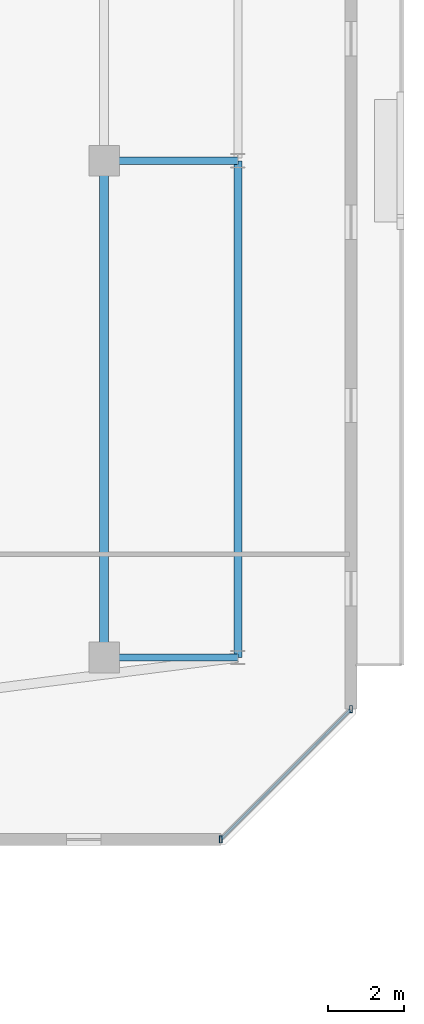
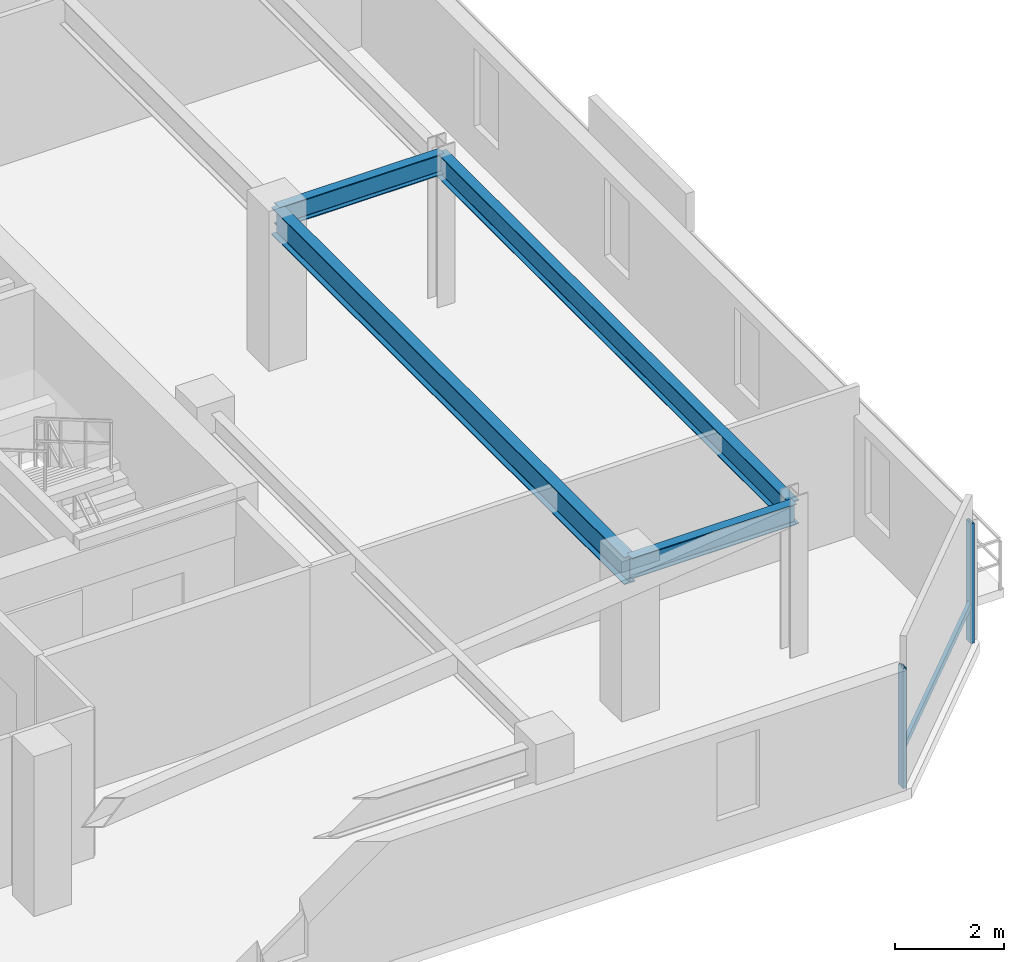
# One storey, part 16 of 35: 4 beams, 3 members, 1 element without a shape of its own.
"""IFC4 building model written with IfcOpenShell, lengths in metres."""

import ifcopenshell
import ifcopenshell.guid

model = None  # the IFC model being written
_history = None  # IfcOwnerHistory: only IFC2X3 demands one
_inside = {}  # id of a spatial element -> (the spatial element, [elements in it])
_under = {}  # id of a project, library or spatial element -> (it, [spatial elements below it])
_declared = {}  # id of a project -> (the project, [libraries it declares])
_typed = {}  # id of a type object -> (the type object, [elements of that type])
_made_of = {}  # id of a material, layer set ... -> (it, [elements and type objects made of it])


def new_model(schema):
    """Start an empty IFC model of exactly this schema.

    Asked for "IFC4X3", IfcOpenShell would pick the latest addendum, in which some entities
    have other attributes; the version numbers below select the first issue.
    IFC2X3 requires an IfcOwnerHistory on every rooted entity: one is made here for all.
    """
    global model, _history
    if schema == "IFC4X3":
        model = ifcopenshell.file(schema_version=(4, 3, 0, 0))
    else:
        model = ifcopenshell.file(schema=schema)
    _inside.clear()
    _under.clear()
    _declared.clear()
    _typed.clear()
    _made_of.clear()
    _history = None
    if model.schema == "IFC2X3":
        org = make("IfcOrganization", Name="unknown")
        user = make(
            "IfcPersonAndOrganization",
            ThePerson=make("IfcPerson", FamilyName="unknown"),
            TheOrganization=org,
        )
        app = make(
            "IfcApplication",
            ApplicationDeveloper=org,
            Version="unknown",
            ApplicationFullName="unknown",
            ApplicationIdentifier="unknown",
        )
        _history = make(
            "IfcOwnerHistory",
            OwningUser=user,
            OwningApplication=app,
            ChangeAction="ADDED",
            CreationDate=0,
        )
    return model


def make(cls, **values):
    """One entity of the class cls with the attributes given. An attribute that is None is left unset."""
    return model.create_entity(
        cls, **{name: value for name, value in values.items() if value is not None}
    )


def rooted(cls, **values):
    """An entity with a GlobalId (a new one), such as an element, a storey or a relation."""
    return make(cls, GlobalId=ifcopenshell.guid.new(), OwnerHistory=_history, **values)


def si_unit(unit_type, name, prefix=None):
    """IfcSIUnit, for example si_unit("LENGTHUNIT", "METRE", prefix="MILLI")."""
    return make("IfcSIUnit", UnitType=unit_type, Prefix=prefix, Name=name)


def assignment(units):
    """IfcUnitAssignment: the units of a project."""
    return None if units is None else make("IfcUnitAssignment", Units=units)


def point(xyz):
    """IfcCartesianPoint."""
    return None if xyz is None else make("IfcCartesianPoint", Coordinates=xyz)


def direction(xyz):
    """IfcDirection."""
    return None if xyz is None else make("IfcDirection", DirectionRatios=xyz)


def frame(location, z_axis=None, x_axis=None):
    """IfcAxis2Placement3D, a coordinate frame: its origin and axes. An axis left out is left unset."""
    return make(
        "IfcAxis2Placement3D",
        Location=point(location),
        Axis=direction(z_axis),
        RefDirection=direction(x_axis),
    )


def frame_2d(location, x_axis=None):
    """IfcAxis2Placement2D, a coordinate frame in the plane: its origin and x axis."""
    return make(
        "IfcAxis2Placement2D", Location=point(location), RefDirection=direction(x_axis)
    )


def origin():
    """The frame at (0, 0, 0) with its axes left unset."""
    return frame((0.0, 0.0, 0.0))


def origin_2d():
    """The frame at (0, 0) in the plane with its x axis left unset."""
    return frame_2d((0.0, 0.0))


def place(relative_to, where):
    """IfcLocalPlacement: puts the frame where relative to a parent placement (None: the world)."""
    return make(
        "IfcLocalPlacement", PlacementRelTo=relative_to, RelativePlacement=where
    )


def context(
    kind, dimensions, precision=None, world=None, true_north=None, identifier=None
):
    """IfcGeometricRepresentationContext, for example the 3D "Model" context."""
    return make(
        "IfcGeometricRepresentationContext",
        ContextIdentifier=identifier,
        ContextType=kind,
        CoordinateSpaceDimension=dimensions,
        Precision=precision,
        WorldCoordinateSystem=world,
        TrueNorth=true_north,
    )


def subcontext(parent, identifier, kind, view, scale=None):
    """IfcGeometricRepresentationSubContext, for example "Body" below "Model"."""
    return make(
        "IfcGeometricRepresentationSubContext",
        ContextIdentifier=identifier,
        ContextType=kind,
        ParentContext=parent,
        TargetScale=scale,
        TargetView=view,
    )


def project(units=None, contexts=None):
    """IfcProject with its units and contexts."""
    return rooted(
        "IfcProject",
        Name="project",
        RepresentationContexts=contexts,
        UnitsInContext=assignment(units),
    )


def spatial(cls, under=None, at=None, **own):
    """A site, building, storey or space (cls), placed at a placement, below another one or the project."""
    s = rooted(cls, ObjectPlacement=at, **own)
    if under is not None:
        _under.setdefault(under.id(), (under, []))[1].append(s)
    return s


def profile(cls, at=None, kind="AREA", **sizes):
    """A parametric profile (cls). Its sizes go by their IFC names, for example OverallWidth=200.0."""
    return make(cls, ProfileType=kind, Position=at, **sizes)


def hollow_rectangle(**sizes):
    """IfcRectangleHollowProfileDef."""
    return profile("IfcRectangleHollowProfileDef", **sizes)


def i_section(**sizes):
    """IfcIShapeProfileDef."""
    return profile("IfcIShapeProfileDef", **sizes)


def extrude(swept, where, along, depth):
    """IfcExtrudedAreaSolid: the profile swept, set in the frame where, extruded along a direction by depth."""
    return make(
        "IfcExtrudedAreaSolid",
        SweptArea=swept,
        Position=where,
        ExtrudedDirection=direction(along),
        Depth=depth,
    )


def shape(context_of_items, identifier, shape_type, items):
    """IfcShapeRepresentation: the items that make up one representation, for example the "Body"."""
    return make(
        "IfcShapeRepresentation",
        ContextOfItems=context_of_items,
        RepresentationIdentifier=identifier,
        RepresentationType=shape_type,
        Items=items,
    )


def material(Name=None, Category=None):
    """IfcMaterial."""
    return make("IfcMaterial", Name=Name, Category=Category)


def material_profile(
    of_material, cross_section, Name=None, Category=None, Priority=None
):
    """IfcMaterialProfile: a cross section and its material."""
    return make(
        "IfcMaterialProfile",
        Name=Name,
        Material=of_material,
        Profile=cross_section,
        Priority=Priority,
        Category=Category,
    )


def profile_set(profiles, Name=None, composite=None):
    """IfcMaterialProfileSet."""
    return make(
        "IfcMaterialProfileSet",
        Name=Name,
        MaterialProfiles=profiles,
        CompositeProfile=composite,
    )


def made_of(thing, what):
    """Note that an element or type object is made of a material, layer set ...; save() writes the relation."""
    if what is not None:
        _made_of.setdefault(what.id(), (what, []))[1].append(thing)
    return thing


def type_object(cls, material=None, **own):
    """A type object (cls), such as IfcWallType, which elements share."""
    return made_of(rooted(cls, **own), material)


def element(
    cls,
    number,
    at=None,
    inside=None,
    cuts=None,
    type_object=None,
    material=None,
    context=None,
    identifier="Body",
    shape_type=None,
    held_by="IfcProductDefinitionShape",
    body=None,
    shapes=None,
    **own,
):
    """One element of the class cls, such as IfcWall. Its Tag is "e" and its number.

    at: its placement. inside: the storey or other place that contains it. cuts: it is an
    opening in that element (IfcRelVoidsElement). A single representation is given by context,
    identifier, shape_type and body (its items); several are given by shapes. held_by: the class
    of the entity that holds the representations. save() writes the other relations.
    """
    e = rooted(cls, Tag="e%d" % number, ObjectPlacement=at, **own)
    if body is not None:
        shapes = [shape(context, identifier, shape_type, body)]
    if shapes is not None:
        e.Representation = make(held_by, Representations=shapes)
    if inside is not None:
        _inside.setdefault(inside.id(), (inside, []))[1].append(e)
    if cuts is not None:
        rooted(
            "IfcRelVoidsElement", RelatingBuildingElement=cuts, RelatedOpeningElement=e
        )
    if type_object is not None:
        _typed.setdefault(type_object.id(), (type_object, []))[1].append(e)
    return made_of(e, material)


def aggregate(whole, parts):
    """IfcRelAggregates: a whole, such as a stair, and the parts it consists of."""
    return rooted("IfcRelAggregates", RelatingObject=whole, RelatedObjects=parts)


def save(model, path):
    """Write the relations noted so far, then the file.

    IfcRelAggregates (storeys below a building ...), IfcRelContainedInSpatialStructure (elements
    in a storey), IfcRelDefinesByType, IfcRelAssociatesMaterial and IfcRelDeclares: one each for
    every whole, place, type object, material and project.
    """
    for whole, parts in _under.values():
        aggregate(whole, parts)
    for where, things in _inside.values():
        rooted(
            "IfcRelContainedInSpatialStructure",
            RelatedElements=things,
            RelatingStructure=where,
        )
    for kind, things in _typed.values():
        rooted("IfcRelDefinesByType", RelatedObjects=things, RelatingType=kind)
    for what, things in _made_of.values():
        rooted("IfcRelAssociatesMaterial", RelatedObjects=things, RelatingMaterial=what)
    for by, libraries in _declared.values():
        rooted("IfcRelDeclares", RelatingContext=by, RelatedDefinitions=libraries)
    model.write(path)


model = new_model("IFC4")

# Units and contexts
model_context = context("Model", 3, precision=1e-05, world=origin(), true_north=direction((0.0, 1.0)))
body_context = subcontext(model_context, "Body", "Model", "MODEL_VIEW")
ifc_project = project(units=[si_unit("LENGTHUNIT", "METRE"), si_unit("AREAUNIT", "SQUARE_METRE"), si_unit("VOLUMEUNIT", "CUBIC_METRE"), si_unit("PLANEANGLEUNIT", "RADIAN"), si_unit("MASSUNIT", "GRAM", prefix="KILO")], contexts=[model_context])

# Site, building, storey
site_placement = place(None, origin())
site = spatial("IfcSite", under=ifc_project, at=site_placement, CompositionType="ELEMENT")
building_placement = place(site_placement, origin())
building = spatial("IfcBuilding", under=site, at=building_placement, Name="Thornwick Lancets Civic Towers", CompositionType="ELEMENT")
storey_placement = place(building_placement, frame((0.0, 0.0, 265.5)))
storey = spatial("IfcBuildingStorey", under=building, at=storey_placement, Name="L71", CompositionType="ELEMENT", Elevation=265.5)

# Beams
ifc_material_1 = material(Name="Steel S355JR", Category="steel")
ifc_material_profile_1 = material_profile(ifc_material_1, i_section(OverallWidth=0.210693359375, OverallDepth=0.53955078125, WebThickness=0.01171875, FlangeThickness=0.018798828125, FilletRadius=0.0126953125, at=origin_2d()), Name="UKB 533x210x109")
ifc_profile_set_1 = profile_set([ifc_material_profile_1], Name="Steel S355JR")
beam_type_1 = type_object("IfcBeamType", Name="BM_EDGE_533_109", PredefinedType="SPANDREL", material=ifc_profile_set_1)
beam_1_placement = place(storey_placement, frame((109.300048828125, 14.0, 3.09033203125), z_axis=(0.0, 1.0, 0.0), x_axis=(-1.0, 0.0, 0.0)))
element("IfcBeam", 1, at=beam_1_placement, inside=storey, type_object=beam_type_1, Name="BM-EDGE-L71-B-S0-1", PredefinedType="SPANDREL", context=body_context, shape_type="SweptSolid", body=[
    extrude(i_section(OverallWidth=0.210693359375, OverallDepth=0.53955078125, WebThickness=0.01171875, FlangeThickness=0.018798828125, FilletRadius=0.0126953125, at=origin_2d()), origin(), (0.0, 0.0, 1.0), 13.0),
])
ifc_material_profile_2 = material_profile(ifc_material_1, i_section(OverallWidth=0.230224609375, OverallDepth=0.6171875, WebThickness=0.01318359375, FlangeThickness=0.022216796875, FilletRadius=0.0126953125, at=origin_2d()), Name="UKB 610x229x140")
ifc_profile_set_2 = profile_set([ifc_material_profile_2], Name="Steel S355JR")
beam_type_2 = type_object("IfcBeamType", Name="BM_GIRD_610_140", PredefinedType="BEAM", material=ifc_profile_set_2)
beam_2_placement = place(storey_placement, frame((105.800048828125, 14.0, 3.051513671875), z_axis=(0.0, 1.0, 0.0), x_axis=(-1.0, 0.0, 0.0)))
element("IfcBeam", 2, at=beam_2_placement, inside=storey, type_object=beam_type_2, Name="BM-SPINE-L71-B-0-1", PredefinedType="BEAM", context=body_context, shape_type="SweptSolid", body=[
    extrude(i_section(OverallWidth=0.230224609375, OverallDepth=0.6171875, WebThickness=0.01318359375, FlangeThickness=0.022216796875, FilletRadius=0.0126953125, at=origin_2d()), origin(), (0.0, 0.0, 1.0), 13.0),
])
ifc_material_profile_3 = material_profile(ifc_material_1, i_section(OverallWidth=0.19287109375, OverallDepth=0.46728515625, WebThickness=0.011474609375, FlangeThickness=0.01953125, FilletRadius=0.01025390625, at=origin_2d()), Name="UKB 457x191x98")
ifc_profile_set_3 = profile_set([ifc_material_profile_3], Name="Steel S355JR")
beam_type_3 = type_object("IfcBeamType", Name="BM_JOIST_457_98", PredefinedType="JOIST", material=ifc_profile_set_3)
for number, where, z_axis, x_axis, name in (
    (3, (105.800048828125, 14.0, 3.12646484375), (1.0, 0.0, 0.0), (0.0, 1.0, 0.0), "BM-RAD-L71-B01"),
    (4, (105.800048828125, 27.0, 3.12646484375), (1.0, 0.0, 0.0), (0.0, 1.0, 0.0), "BM-RAD-L71-B02"),
):
    element("IfcBeam", number, at=place(storey_placement, frame(where, z_axis=z_axis, x_axis=x_axis)), inside=storey, type_object=beam_type_3, Name=name, PredefinedType="JOIST", context=body_context, shape_type="SweptSolid", body=[
        extrude(i_section(OverallWidth=0.19287109375, OverallDepth=0.46728515625, WebThickness=0.011474609375, FlangeThickness=0.01953125, FilletRadius=0.01025390625, at=origin_2d()), origin(), (0.0, 0.0, 1.0), 3.5),
    ])

# Curtain wall, members
ifc_material_2 = material(Name="High-zone chamfered-corner unitised glass curtain wall", Category="glass")
curtain_wall_type = type_object("IfcCurtainWallType", Name="CW_SYS_05", PredefinedType="NOTDEFINED", material=ifc_material_2)
curtain_wall_placement = place(storey_placement, origin())
curtain_wall = element("IfcCurtainWall", 5, at=curtain_wall_placement, inside=storey, type_object=curtain_wall_type, Name="L71 Curtain Wall CW-L71-B-E1", PredefinedType="NOTDEFINED")
ifc_material_3 = material(Name="Thermally broken bronze aluminium S355", Category="steel")
ifc_material_profile_4 = material_profile(ifc_material_3, hollow_rectangle(XDim=0.074951171875, YDim=0.179931640625, WallThickness=0.006103515625, at=origin_2d()), Name="RHS 180x75x6")
ifc_profile_set_4 = profile_set([ifc_material_profile_4], Name="Thermally broken bronze aluminium S355")
member_type_1 = type_object("IfcMemberType", Name="CW_MUL_180", PredefinedType="MULLION", material=ifc_profile_set_4)
member_1_placement = place(storey_placement, frame((108.853515625, 9.238037109375, 0.0), z_axis=(0.0, 0.0, 1.0), x_axis=(1.0, 0.0, 0.0)))
member_1 = element("IfcMember", 6, at=member_1_placement, type_object=member_type_1, Name="CW-L71-B-E1 Mullion 0", PredefinedType="MULLION", context=body_context, shape_type="SweptSolid", body=[
    extrude(hollow_rectangle(XDim=0.074951171875, YDim=0.179931640625, WallThickness=0.006103515625, at=origin_2d()), origin(), (0.0, 0.0, 1.0), 2.699951171875),
])
member_2_placement = place(storey_placement, frame((112.261962890625, 12.646484375, 0.0), z_axis=(0.0, 0.0, 1.0), x_axis=(1.0, 0.0, 0.0)))
member_2 = element("IfcMember", 7, at=member_2_placement, type_object=member_type_1, Name="CW-L71-B-E1 Mullion 1", PredefinedType="MULLION", context=body_context, shape_type="SweptSolid", body=[
    extrude(hollow_rectangle(XDim=0.074951171875, YDim=0.179931640625, WallThickness=0.006103515625, at=origin_2d()), origin(), (0.0, 0.0, 1.0), 2.699951171875),
])
ifc_material_profile_5 = material_profile(ifc_material_3, hollow_rectangle(XDim=0.074951171875, YDim=0.14990234375, WallThickness=0.0048828125, at=origin_2d()), Name="RHS 150x75x5")
ifc_profile_set_5 = profile_set([ifc_material_profile_5], Name="Thermally broken bronze aluminium S355")
member_type_2 = type_object("IfcMemberType", Name="CW_TRN_150", PredefinedType="USERDEFINED", material=ifc_profile_set_5)
member_3_placement = place(storey_placement, frame((108.86767578125, 9.252197265625, 0.85009765625), z_axis=(0.707106781187, 0.707106781187, 0.0), x_axis=(-0.707106781187, 0.707106781187, 0.0)))
member_3 = element("IfcMember", 8, at=member_3_placement, type_object=member_type_2, Name="CW-L71-B-E1 Transom 0", ObjectType="TRANSOM", PredefinedType="USERDEFINED", context=body_context, shape_type="SweptSolid", body=[
    extrude(hollow_rectangle(XDim=0.074951171875, YDim=0.14990234375, WallThickness=0.0048828125, at=origin_2d()), origin(), (0.0, 0.0, 1.0), 4.7802734375),
])
aggregate(curtain_wall, [member_1, member_2, member_3])

save(model, "model.ifc")
